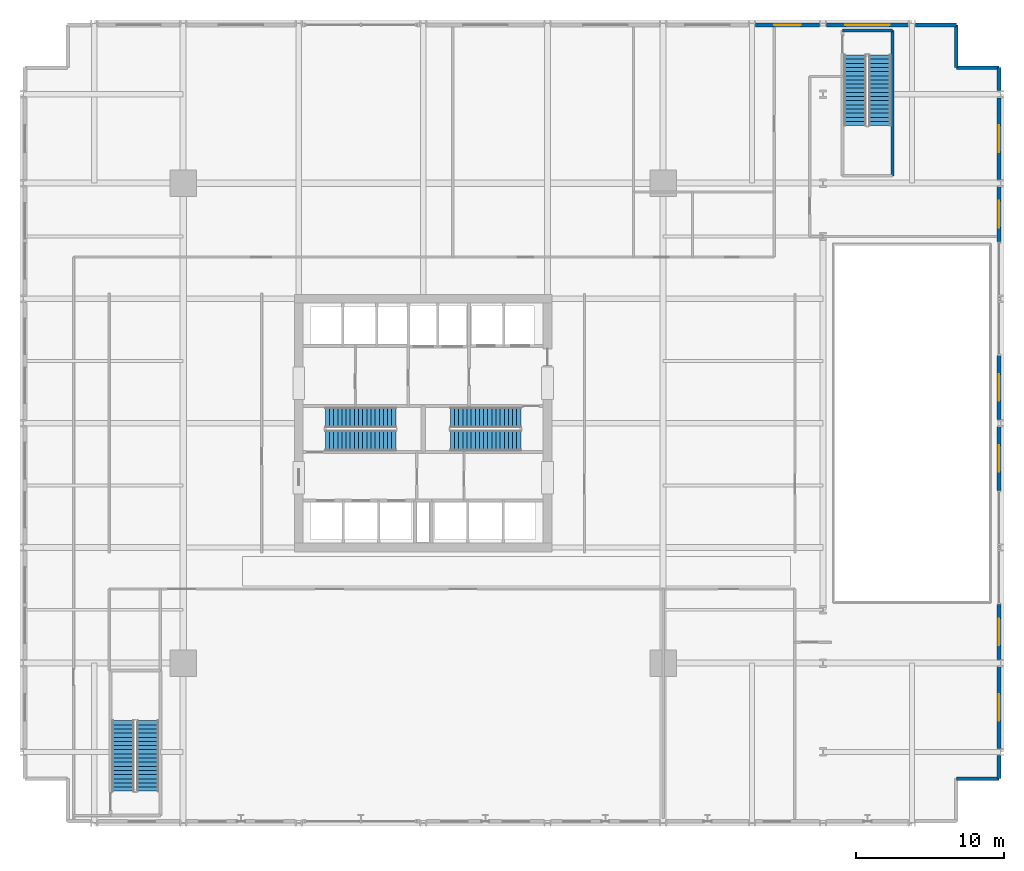
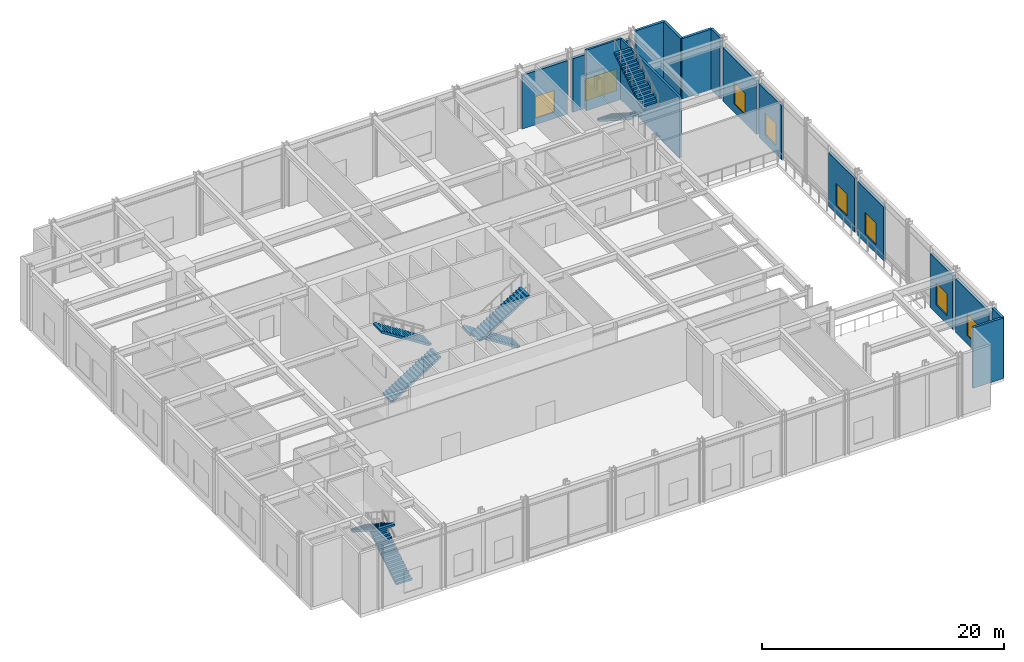
# One storey, part 14 of 20: 16 walls, 8 stair flights, 8 windows, 8 openings, 4 elements without a shape of their own.
"""IFC4 building model written with IfcOpenShell, lengths in metres."""

from ifc_helpers import new_model, si_unit, direction, frame, frame_2d, origin, place, context, subcontext, project, spatial, polyline, rectangle, outline, extrude, material, layer, layer_set, type_object, element, fill, aggregate, save


model = new_model("IFC4")

# Units and contexts
model_context = context("Model", 3, precision=1e-05, world=origin(), true_north=direction((0.0, 1.0)))
body_context = subcontext(model_context, "Body", "Model", "MODEL_VIEW")
ifc_project = project(units=[si_unit("LENGTHUNIT", "METRE"), si_unit("AREAUNIT", "SQUARE_METRE"), si_unit("VOLUMEUNIT", "CUBIC_METRE"), si_unit("PLANEANGLEUNIT", "RADIAN"), si_unit("MASSUNIT", "GRAM", prefix="KILO")], contexts=[model_context])

# Site, building, storey
site_placement = place(None, origin())
site = spatial("IfcSite", under=ifc_project, at=site_placement, CompositionType="ELEMENT")
building_placement = place(site_placement, origin())
building = spatial("IfcBuilding", under=site, at=building_placement, Name="Drelvath Grand Hotel", CompositionType="ELEMENT")
storey_placement = place(building_placement, frame((0.0, 0.0, 10.800048828125)))
storey = spatial("IfcBuildingStorey", under=building, at=storey_placement, Name="L02", CompositionType="ELEMENT", Elevation=10.800048828125)

# Walls
ifc_material_1 = material(Name="Concrete C40/50", Category="concrete")
ifc_layer_1 = layer(ifc_material_1, 0.199951171875)
ifc_layer_set_1 = layer_set([ifc_layer_1], Name="Concrete C40/50")
wall_type_1 = type_object("IfcWallType", Name="Core Shaft Fire Wall 200", PredefinedType="SOLIDWALL", material=ifc_layer_set_1)
wall_1_placement = place(storey_placement, frame((31.679931640625, 53.5, 0.0), z_axis=(0.0, 0.0, 1.0), x_axis=(0.0, -1.0, 0.0)))
element("IfcWall", 1, at=wall_1_placement, inside=storey, type_object=wall_type_1, Name="L02 Stair ST-4 East Wall", PredefinedType="SOLIDWALL", context=body_context, shape_type="SweptSolid", body=[
    extrude(rectangle(XDim=9.800048828125, YDim=0.199951171875, at=frame_2d((4.89990234375, 0.0))), origin(), (0.0, 0.0, 1.0), 6.099853515625),
])
wall_2_placement = place(storey_placement, frame((31.679931640625, 53.5, 0.0), z_axis=(0.0, 0.0, 1.0), x_axis=(-1.0, 0.0, 0.0)))
element("IfcWall", 2, at=wall_2_placement, inside=storey, type_object=wall_type_1, Name="L02 Stair ST-4 North Wall", PredefinedType="SOLIDWALL", context=body_context, shape_type="SweptSolid", body=[
    extrude(rectangle(XDim=3.35986328125, YDim=0.199951171875, at=frame_2d((1.679931640625, 0.0))), origin(), (0.0, 0.0, 1.0), 6.099853515625),
])
ifc_material_2 = material(Name="Insulated Granite Rainscreen Assembly", Category="masonry")
ifc_layer_2 = layer(ifc_material_2, 0.239990234375)
ifc_layer_set_2 = layer_set([ifc_layer_2], Name="Insulated Granite Rainscreen Assembly")
wall_type_2 = type_object("IfcWallType", Name="Podium Granite Rainscreen Exterior Wall 240", PredefinedType="STANDARD", material=ifc_layer_set_2)
wall_3_placement = place(storey_placement, frame((38.8798828125, 4.55908203125, 0.0), z_axis=(0.0, 0.0, 1.0), x_axis=(0.0, -1.0, 0.0)))
element("IfcWall", 3, at=wall_3_placement, inside=storey, type_object=wall_type_2, Name="L02 East Podium Granite Wall 1", PredefinedType="STANDARD", context=body_context, shape_type="SweptSolid", body=[
    extrude(rectangle(XDim=1.55908203125, YDim=0.239990234375, at=frame_2d((0.779541015625, 0.0))), origin(), (0.0, 0.0, 1.0), 6.099853515625),
])

# Wall, opening, window
wall_4_placement = place(storey_placement, frame((38.8798828125, 10.55908203125, 0.0), z_axis=(0.0, 0.0, 1.0), x_axis=(0.0, -1.0, 0.0)))
wall_4 = element("IfcWall", 4, at=wall_4_placement, inside=storey, type_object=wall_type_2, Name="L02 East Podium Granite Wall 2", PredefinedType="STANDARD", context=body_context, shape_type="SweptSolid", body=[
    extrude(rectangle(XDim=5.51806640625, YDim=0.239990234375, at=frame_2d((2.759033203125, 0.0))), origin(), (0.0, 0.0, 1.0), 5.404296875),
])
opening_1_placement = place(wall_4_placement, frame((1.859130859375, 0.0, 0.85009765625)))
opening_1 = element("IfcOpeningElement", 5, at=opening_1_placement, cuts=wall_4, Name="Opening W-02", PredefinedType="OPENING", context=body_context, shape_type="SweptSolid", body=[
    extrude(rectangle(XDim=1.800048828125, YDim=2.199951171875, at=frame_2d((0.89990234375, 1.10009765625))), frame((0.0, 0.1298828125, 0.0), z_axis=(0.0, -1.0, 0.0), x_axis=(1.0, 0.0, 0.0)), (0.0, 0.0, 1.0), 0.260009765625),
])
ifc_material_3 = material(Name="Bronze Anodised Low-E Triple Glazing", Category="glass")
window_type_1 = type_object("IfcWindowType", Name="Chicago Double-Pane Podium Window 1800x2400", PartitioningType="DOUBLE_PANEL_VERTICAL", PredefinedType="WINDOW", material=ifc_material_3)
window_1_placement = place(opening_1_placement, origin())
window_1 = element("IfcWindow", 6, at=window_1_placement, inside=storey, type_object=window_type_1, Name="L02 East Podium Window 2", OverallHeight=2.199951171875, OverallWidth=1.800048828125, PartitioningType="SINGLE_PANEL", PredefinedType="WINDOW", context=body_context, shape_type="SweptSolid", body=[
    extrude(rectangle(XDim=1.800048828125, YDim=2.199951171875, at=frame_2d((0.89990234375, 1.10009765625))), frame((0.0, 0.030029296875, 0.0), z_axis=(0.0, -1.0, 0.0), x_axis=(1.0, 0.0, 0.0)), (0.0, 0.0, 1.0), 0.06005859375),
])
fill(opening_1, window_1)

wall_5_placement = place(storey_placement, frame((38.8798828125, 14.75, 0.0), z_axis=(0.0, 0.0, 1.0), x_axis=(0.0, -1.0, 0.0)))
wall_5 = element("IfcWall", 7, at=wall_5_placement, inside=storey, type_object=wall_type_2, Name="L02 East Podium Granite Wall 3", PredefinedType="STANDARD", context=body_context, shape_type="SweptSolid", body=[
    extrude(rectangle(XDim=3.708984375, YDim=0.239990234375, at=frame_2d((1.8544921875, 0.0))), origin(), (0.0, 0.0, 1.0), 5.404296875),
])
opening_2_placement = place(wall_5_placement, frame((0.95458984375, 0.0, 0.85009765625)))
opening_2 = element("IfcOpeningElement", 8, at=opening_2_placement, cuts=wall_5, Name="Opening W-02", PredefinedType="OPENING", context=body_context, shape_type="SweptSolid", body=[
    extrude(rectangle(XDim=1.800048828125, YDim=2.199951171875, at=frame_2d((0.89990234375, 1.10009765625))), frame((0.0, 0.1298828125, 0.0), z_axis=(0.0, -1.0, 0.0), x_axis=(1.0, 0.0, 0.0)), (0.0, 0.0, 1.0), 0.260009765625),
])
window_2_placement = place(opening_2_placement, origin())
window_2 = element("IfcWindow", 9, at=window_2_placement, inside=storey, type_object=window_type_1, Name="L02 East Podium Window 3", OverallHeight=2.199951171875, OverallWidth=1.800048828125, PartitioningType="SINGLE_PANEL", PredefinedType="WINDOW", context=body_context, shape_type="SweptSolid", body=[
    extrude(rectangle(XDim=1.800048828125, YDim=2.199951171875, at=frame_2d((0.89990234375, 1.10009765625))), frame((0.0, 0.030029296875, 0.0), z_axis=(0.0, -1.0, 0.0), x_axis=(1.0, 0.0, 0.0)), (0.0, 0.0, 1.0), 0.06005859375),
])
fill(opening_2, window_2)

wall_6_placement = place(storey_placement, frame((38.8798828125, 26.759033203125, 0.0), z_axis=(0.0, 0.0, 1.0), x_axis=(0.0, -1.0, 0.0)))
wall_6 = element("IfcWall", 10, at=wall_6_placement, inside=storey, type_object=wall_type_2, Name="L02 East Podium Granite Wall 4", PredefinedType="STANDARD", context=body_context, shape_type="SweptSolid", body=[
    extrude(rectangle(XDim=4.30908203125, YDim=0.239990234375, at=frame_2d((2.154541015625, 0.0))), origin(), (0.0, 0.0, 1.0), 5.404296875),
])
opening_3_placement = place(wall_6_placement, frame((1.254638671875, 0.0, 0.85009765625)))
opening_3 = element("IfcOpeningElement", 11, at=opening_3_placement, cuts=wall_6, Name="Opening W-02", PredefinedType="OPENING", context=body_context, shape_type="SweptSolid", body=[
    extrude(rectangle(XDim=1.800048828125, YDim=2.199951171875, at=frame_2d((0.89990234375, 1.10009765625))), frame((0.0, 0.1298828125, 0.0), z_axis=(0.0, -1.0, 0.0), x_axis=(1.0, 0.0, 0.0)), (0.0, 0.0, 1.0), 0.260009765625),
])
window_3_placement = place(opening_3_placement, origin())
window_3 = element("IfcWindow", 12, at=window_3_placement, inside=storey, type_object=window_type_1, Name="L02 East Podium Window 4", OverallHeight=2.199951171875, OverallWidth=1.800048828125, PartitioningType="SINGLE_PANEL", PredefinedType="WINDOW", context=body_context, shape_type="SweptSolid", body=[
    extrude(rectangle(XDim=1.800048828125, YDim=2.199951171875, at=frame_2d((0.89990234375, 1.10009765625))), frame((0.0, 0.030029296875, 0.0), z_axis=(0.0, -1.0, 0.0), x_axis=(1.0, 0.0, 0.0)), (0.0, 0.0, 1.0), 0.06005859375),
])
fill(opening_3, window_3)

wall_7_placement = place(storey_placement, frame((38.8798828125, 31.550048828125, 0.0), z_axis=(0.0, 0.0, 1.0), x_axis=(0.0, -1.0, 0.0)))
wall_7 = element("IfcWall", 13, at=wall_7_placement, inside=storey, type_object=wall_type_2, Name="L02 East Podium Granite Wall 5", PredefinedType="STANDARD", context=body_context, shape_type="SweptSolid", body=[
    extrude(rectangle(XDim=4.30908203125, YDim=0.239990234375, at=frame_2d((2.154541015625, 0.0))), origin(), (0.0, 0.0, 1.0), 5.404296875),
])
opening_4_placement = place(wall_7_placement, frame((1.254638671875, 0.0, 0.85009765625)))
opening_4 = element("IfcOpeningElement", 14, at=opening_4_placement, cuts=wall_7, Name="Opening W-02", PredefinedType="OPENING", context=body_context, shape_type="SweptSolid", body=[
    extrude(rectangle(XDim=1.800048828125, YDim=2.199951171875, at=frame_2d((0.89990234375, 1.10009765625))), frame((0.0, 0.1298828125, 0.0), z_axis=(0.0, -1.0, 0.0), x_axis=(1.0, 0.0, 0.0)), (0.0, 0.0, 1.0), 0.260009765625),
])
window_4_placement = place(opening_4_placement, origin())
window_4 = element("IfcWindow", 15, at=window_4_placement, inside=storey, type_object=window_type_1, Name="L02 East Podium Window 5", OverallHeight=2.199951171875, OverallWidth=1.800048828125, PartitioningType="SINGLE_PANEL", PredefinedType="WINDOW", context=body_context, shape_type="SweptSolid", body=[
    extrude(rectangle(XDim=1.800048828125, YDim=2.199951171875, at=frame_2d((0.89990234375, 1.10009765625))), frame((0.0, 0.030029296875, 0.0), z_axis=(0.0, -1.0, 0.0), x_axis=(1.0, 0.0, 0.0)), (0.0, 0.0, 1.0), 0.06005859375),
])
fill(opening_4, window_4)

wall_8_placement = place(storey_placement, frame((38.8798828125, 42.958984375, 0.0), z_axis=(0.0, 0.0, 1.0), x_axis=(0.0, -1.0, 0.0)))
wall_8 = element("IfcWall", 16, at=wall_8_placement, inside=storey, type_object=wall_type_2, Name="L02 East Podium Granite Wall 6", PredefinedType="STANDARD", context=body_context, shape_type="SweptSolid", body=[
    extrude(rectangle(XDim=3.708984375, YDim=0.239990234375, at=frame_2d((1.8544921875, 0.0))), origin(), (0.0, 0.0, 1.0), 5.404296875),
])
opening_5_placement = place(wall_8_placement, frame((0.95458984375, 0.0, 0.85009765625)))
opening_5 = element("IfcOpeningElement", 17, at=opening_5_placement, cuts=wall_8, Name="Opening W-02", PredefinedType="OPENING", context=body_context, shape_type="SweptSolid", body=[
    extrude(rectangle(XDim=1.800048828125, YDim=2.199951171875, at=frame_2d((0.89990234375, 1.10009765625))), frame((0.0, 0.1298828125, 0.0), z_axis=(0.0, -1.0, 0.0), x_axis=(1.0, 0.0, 0.0)), (0.0, 0.0, 1.0), 0.260009765625),
])
window_5_placement = place(opening_5_placement, origin())
window_5 = element("IfcWindow", 18, at=window_5_placement, inside=storey, type_object=window_type_1, Name="L02 East Podium Window 6", OverallHeight=2.199951171875, OverallWidth=1.800048828125, PartitioningType="SINGLE_PANEL", PredefinedType="WINDOW", context=body_context, shape_type="SweptSolid", body=[
    extrude(rectangle(XDim=1.800048828125, YDim=2.199951171875, at=frame_2d((0.89990234375, 1.10009765625))), frame((0.0, 0.030029296875, 0.0), z_axis=(0.0, -1.0, 0.0), x_axis=(1.0, 0.0, 0.0)), (0.0, 0.0, 1.0), 0.06005859375),
])
fill(opening_5, window_5)

wall_9_placement = place(storey_placement, frame((38.8798828125, 48.958984375, 0.0), z_axis=(0.0, 0.0, 1.0), x_axis=(0.0, -1.0, 0.0)))
wall_9 = element("IfcWall", 19, at=wall_9_placement, inside=storey, type_object=wall_type_2, Name="L02 East Podium Granite Wall 7", PredefinedType="STANDARD", context=body_context, shape_type="SweptSolid", body=[
    extrude(rectangle(XDim=5.51806640625, YDim=0.239990234375, at=frame_2d((2.759033203125, 0.0))), origin(), (0.0, 0.0, 1.0), 5.404296875),
])
opening_6_placement = place(wall_9_placement, frame((1.859130859375, 0.0, 0.85009765625)))
opening_6 = element("IfcOpeningElement", 20, at=opening_6_placement, cuts=wall_9, Name="Opening W-02", PredefinedType="OPENING", context=body_context, shape_type="SweptSolid", body=[
    extrude(rectangle(XDim=1.800048828125, YDim=2.199951171875, at=frame_2d((0.89990234375, 1.10009765625))), frame((0.0, 0.1298828125, 0.0), z_axis=(0.0, -1.0, 0.0), x_axis=(1.0, 0.0, 0.0)), (0.0, 0.0, 1.0), 0.260009765625),
])
window_6_placement = place(opening_6_placement, origin())
window_6 = element("IfcWindow", 21, at=window_6_placement, inside=storey, type_object=window_type_1, Name="L02 East Podium Window 7", OverallHeight=2.199951171875, OverallWidth=1.800048828125, PartitioningType="SINGLE_PANEL", PredefinedType="WINDOW", context=body_context, shape_type="SweptSolid", body=[
    extrude(rectangle(XDim=1.800048828125, YDim=2.199951171875, at=frame_2d((0.89990234375, 1.10009765625))), frame((0.0, 0.030029296875, 0.0), z_axis=(0.0, -1.0, 0.0), x_axis=(1.0, 0.0, 0.0)), (0.0, 0.0, 1.0), 0.06005859375),
])
fill(opening_6, window_6)

# Wall
wall_10_placement = place(storey_placement, frame((38.8798828125, 51.0, 0.0), z_axis=(0.0, 0.0, 1.0), x_axis=(0.0, -1.0, 0.0)))
element("IfcWall", 22, at=wall_10_placement, inside=storey, type_object=wall_type_2, Name="L02 East Podium Granite Wall 8", PredefinedType="STANDARD", context=body_context, shape_type="SweptSolid", body=[
    extrude(rectangle(XDim=1.55908203125, YDim=0.239990234375, at=frame_2d((0.779541015625, 0.0))), origin(), (0.0, 0.0, 1.0), 6.099853515625),
])

# Wall, opening, window
wall_11_placement = place(storey_placement, frame((22.44091796875, 53.8798828125, 0.0), z_axis=(0.0, 0.0, 1.0), x_axis=(1.0, 0.0, 0.0)))
wall_11 = element("IfcWall", 23, at=wall_11_placement, inside=storey, type_object=wall_type_2, Name="L02 North Podium Granite Wall 9", PredefinedType="STANDARD", context=body_context, shape_type="SweptSolid", body=[
    extrude(rectangle(XDim=4.318115234375, YDim=0.239990234375, at=frame_2d((2.1591796875, 0.0))), origin(), (0.0, 0.0, 1.0), 5.404296875),
])
opening_7_placement = place(wall_11_placement, frame((1.259033203125, 0.0, 0.64990234375)))
opening_7 = element("IfcOpeningElement", 24, at=opening_7_placement, cuts=wall_11, Name="Opening W-02", PredefinedType="OPENING", context=body_context, shape_type="SweptSolid", body=[
    extrude(rectangle(XDim=1.800048828125, YDim=2.199951171875, at=frame_2d((0.89990234375, 1.10009765625))), frame((0.0, 0.1298828125, 0.0), z_axis=(0.0, -1.0, 0.0), x_axis=(1.0, 0.0, 0.0)), (0.0, 0.0, 1.0), 0.260009765625),
])
window_7_placement = place(opening_7_placement, origin())
window_7 = element("IfcWindow", 25, at=window_7_placement, inside=storey, type_object=window_type_1, Name="L02 North Chicago Window 9", OverallHeight=2.199951171875, OverallWidth=1.800048828125, PartitioningType="SINGLE_PANEL", PredefinedType="WINDOW", context=body_context, shape_type="SweptSolid", body=[
    extrude(rectangle(XDim=1.800048828125, YDim=2.199951171875, at=frame_2d((0.89990234375, 1.10009765625))), frame((0.0, 0.030029296875, 0.0), z_axis=(0.0, -1.0, 0.0), x_axis=(1.0, 0.0, 0.0)), (0.0, 0.0, 1.0), 0.06005859375),
])
fill(opening_7, window_7)

wall_12_placement = place(storey_placement, frame((27.240966796875, 53.8798828125, 0.0), z_axis=(0.0, 0.0, 1.0), x_axis=(1.0, 0.0, 0.0)))
wall_12 = element("IfcWall", 26, at=wall_12_placement, inside=storey, type_object=wall_type_2, Name="L02 North Podium Granite Wall 10", PredefinedType="STANDARD", context=body_context, shape_type="SweptSolid", body=[
    extrude(rectangle(XDim=5.51806640625, YDim=0.239990234375, at=frame_2d((2.759033203125, 0.0))), origin(), (0.0, 0.0, 1.0), 5.404296875),
])
opening_8_placement = place(wall_12_placement, frame((1.259033203125, 0.0, 0.64990234375)))
opening_8 = element("IfcOpeningElement", 27, at=opening_8_placement, cuts=wall_12, Name="Opening W-03", PredefinedType="OPENING", context=body_context, shape_type="SweptSolid", body=[
    extrude(rectangle(XDim=3.0, YDim=2.199951171875, at=frame_2d((1.5, 1.10009765625))), frame((0.0, 0.1298828125, 0.0), z_axis=(0.0, -1.0, 0.0), x_axis=(1.0, 0.0, 0.0)), (0.0, 0.0, 1.0), 0.260009765625),
])
window_type_2 = type_object("IfcWindowType", Name="Podium Clerestory Ribbon Window 3000x2200", PartitioningType="TRIPLE_PANEL_VERTICAL", PredefinedType="WINDOW", material=ifc_material_3)
window_8_placement = place(opening_8_placement, origin())
window_8 = element("IfcWindow", 28, at=window_8_placement, inside=storey, type_object=window_type_2, Name="L02 North Chicago Window 10", OverallHeight=2.199951171875, OverallWidth=3.0, PartitioningType="SINGLE_PANEL", PredefinedType="WINDOW", context=body_context, shape_type="SweptSolid", body=[
    extrude(rectangle(XDim=3.0, YDim=2.199951171875, at=frame_2d((1.5, 1.10009765625))), frame((0.0, 0.030029296875, 0.0), z_axis=(0.0, -1.0, 0.0), x_axis=(1.0, 0.0, 0.0)), (0.0, 0.0, 1.0), 0.06005859375),
])
fill(opening_8, window_8)

# Walls
wall_13_placement = place(storey_placement, frame((33.240966796875, 53.8798828125, 0.0), z_axis=(0.0, 0.0, 1.0), x_axis=(1.0, 0.0, 0.0)))
element("IfcWall", 29, at=wall_13_placement, inside=storey, type_object=wall_type_2, Name="L02 North Podium Granite Wall 11", PredefinedType="STANDARD", context=body_context, shape_type="SweptSolid", body=[
    extrude(rectangle(XDim=2.759033203125, YDim=0.239990234375, at=frame_2d((1.37939453125, 0.0))), origin(), (0.0, 0.0, 1.0), 6.099853515625),
])
for number, where, z_axis, x_axis, name in (
    (30, (36.0, 53.8798828125, 0.0), (0.0, 0.0, 1.0), (0.0, -1.0, 0.0), "L02 Podium Corner Return Wall CNE1"),
    (31, (36.0, 51.0, 0.0), (0.0, 0.0, 1.0), (1.0, 0.0, 0.0), "L02 Podium Corner Return Wall CNE2"),
    (32, (38.8798828125, 3.0, 0.0), (0.0, 0.0, 1.0), (-1.0, 0.0, 0.0), "L02 Podium Corner Return Wall CSE1"),
):
    element("IfcWall", number, at=place(storey_placement, frame(where, z_axis=z_axis, x_axis=x_axis)), inside=storey, type_object=wall_type_2, Name=name, PredefinedType="STANDARD", context=body_context, shape_type="SweptSolid", body=[
        extrude(rectangle(XDim=2.8798828125, YDim=0.239990234375, at=frame_2d((1.43994140625, 0.0))), origin(), (0.0, 0.0, 1.0), 6.099853515625),
    ])

# Stair, stair flights
stair_type_1 = type_object("IfcStairType", Name="Dogleg Exit Stair W1400-R177.8", PredefinedType="HALF_TURN_STAIR", material=ifc_material_1)
stair_1_placement = place(storey_placement, origin())
stair_1 = element("IfcStair", 33, at=stair_1_placement, inside=storey, type_object=stair_type_1, Name="L02 Core Exit Stair ST-1", PredefinedType="HALF_TURN_STAIR")
stair_flight_type_1 = type_object("IfcStairFlightType", Name="Concrete Stair Flight W1400-R177.8", PredefinedType="STRAIGHT", material=ifc_material_1)
stair_flight_1_placement = place(storey_placement, frame((-6.60009765625, 25.820068359375, 0.0), z_axis=(0.0, 0.0, 1.0), x_axis=(1.0, 0.0, 0.0)))
stair_flight_1 = element("IfcStairFlight", 34, at=stair_flight_1_placement, type_object=stair_flight_type_1, Name="ST-1 flight 1", NumberOfRisers=18, NumberOfTreads=17, PredefinedType="STRAIGHT", RiserHeight=0.177777778, TreadLength=0.28, context=body_context, shape_type="SweptSolid", body=[
    extrude(outline(polyline([(0.0, 0.0), (0.0, 0.177734375), (0.280029296875, 0.177734375), (0.280029296875, 0.35546875), (0.56005859375, 0.35546875), (0.56005859375, 0.533447265625), (0.840087890625, 0.533447265625), (0.840087890625, 0.711181640625), (1.1201171875, 0.711181640625), (1.1201171875, 0.888916015625), (1.39990234375, 0.888916015625), (1.39990234375, 1.066650390625), (1.679931640625, 1.066650390625), (1.679931640625, 1.244384765625), (1.9599609375, 1.244384765625), (1.9599609375, 1.422119140625), (2.239990234375, 1.422119140625), (2.239990234375, 1.60009765625), (2.52001953125, 1.60009765625), (2.52001953125, 1.77783203125), (2.800048828125, 1.77783203125), (2.800048828125, 1.95556640625), (3.080078125, 1.95556640625), (3.080078125, 2.13330078125), (3.360107421875, 2.13330078125), (3.360107421875, 2.31103515625), (3.639892578125, 2.31103515625), (3.639892578125, 2.48876953125), (3.919921875, 2.48876953125), (3.919921875, 2.666748046875), (4.199951171875, 2.666748046875), (4.199951171875, 2.844482421875), (4.47998046875, 2.844482421875), (4.47998046875, 3.022216796875), (4.760009765625, 3.022216796875), (4.760009765625, 3.199951171875), (4.760009765625, 2.832763671875), (0.29833984375, 0.0), (0.0, 0.0)])), frame((0.0, 0.699951171875, 0.0), z_axis=(0.0, -1.0, 0.0), x_axis=(1.0, 0.0, 0.0)), (0.0, 0.0, 1.0), 1.39990234375),
])
stair_flight_2_placement = place(storey_placement, frame((-1.840087890625, 27.3798828125, 3.199951171875), z_axis=(0.0, 0.0, 1.0), x_axis=(-1.0, 0.0, 0.0)))
stair_flight_2 = element("IfcStairFlight", 35, at=stair_flight_2_placement, type_object=stair_flight_type_1, Name="ST-1 flight 2", NumberOfRisers=18, NumberOfTreads=17, PredefinedType="STRAIGHT", RiserHeight=0.177777778, TreadLength=0.28, context=body_context, shape_type="SweptSolid", body=[
    extrude(outline(polyline([(0.0, 0.0), (0.0, 0.177734375), (0.280029296875, 0.177734375), (0.280029296875, 0.35546875), (0.56005859375, 0.35546875), (0.56005859375, 0.533447265625), (0.840087890625, 0.533447265625), (0.840087890625, 0.711181640625), (1.1201171875, 0.711181640625), (1.1201171875, 0.888916015625), (1.39990234375, 0.888916015625), (1.39990234375, 1.066650390625), (1.679931640625, 1.066650390625), (1.679931640625, 1.244384765625), (1.9599609375, 1.244384765625), (1.9599609375, 1.422119140625), (2.239990234375, 1.422119140625), (2.239990234375, 1.60009765625), (2.52001953125, 1.60009765625), (2.52001953125, 1.77783203125), (2.800048828125, 1.77783203125), (2.800048828125, 1.95556640625), (3.080078125, 1.95556640625), (3.080078125, 2.13330078125), (3.360107421875, 2.13330078125), (3.360107421875, 2.31103515625), (3.639892578125, 2.31103515625), (3.639892578125, 2.48876953125), (3.919921875, 2.48876953125), (3.919921875, 2.666748046875), (4.199951171875, 2.666748046875), (4.199951171875, 2.844482421875), (4.47998046875, 2.844482421875), (4.47998046875, 3.022216796875), (4.760009765625, 3.022216796875), (4.760009765625, 3.199951171875), (4.760009765625, 2.832763671875), (0.29833984375, 0.0), (0.0, 0.0)])), frame((0.0, 0.699951171875, 0.0), z_axis=(0.0, -1.0, 0.0), x_axis=(1.0, 0.0, 0.0)), (0.0, 0.0, 1.0), 1.39990234375),
])
aggregate(stair_1, [stair_flight_1, stair_flight_2])

stair_2_placement = place(storey_placement, origin())
stair_2 = element("IfcStair", 36, at=stair_2_placement, inside=storey, type_object=stair_type_1, Name="L02 Core Exit Stair ST-2", PredefinedType="HALF_TURN_STAIR")
stair_flight_3_placement = place(storey_placement, frame((6.60009765625, 27.3798828125, 0.0), z_axis=(0.0, 0.0, 1.0), x_axis=(-1.0, 0.0, 0.0)))
stair_flight_3 = element("IfcStairFlight", 37, at=stair_flight_3_placement, type_object=stair_flight_type_1, Name="ST-2 flight 1", NumberOfRisers=18, NumberOfTreads=17, PredefinedType="STRAIGHT", RiserHeight=0.177777778, TreadLength=0.28, context=body_context, shape_type="SweptSolid", body=[
    extrude(outline(polyline([(0.0, 0.0), (0.0, 0.177734375), (0.280029296875, 0.177734375), (0.280029296875, 0.35546875), (0.56005859375, 0.35546875), (0.56005859375, 0.533447265625), (0.840087890625, 0.533447265625), (0.840087890625, 0.711181640625), (1.1201171875, 0.711181640625), (1.1201171875, 0.888916015625), (1.39990234375, 0.888916015625), (1.39990234375, 1.066650390625), (1.679931640625, 1.066650390625), (1.679931640625, 1.244384765625), (1.9599609375, 1.244384765625), (1.9599609375, 1.422119140625), (2.239990234375, 1.422119140625), (2.239990234375, 1.60009765625), (2.52001953125, 1.60009765625), (2.52001953125, 1.77783203125), (2.800048828125, 1.77783203125), (2.800048828125, 1.95556640625), (3.080078125, 1.95556640625), (3.080078125, 2.13330078125), (3.360107421875, 2.13330078125), (3.360107421875, 2.31103515625), (3.639892578125, 2.31103515625), (3.639892578125, 2.48876953125), (3.919921875, 2.48876953125), (3.919921875, 2.666748046875), (4.199951171875, 2.666748046875), (4.199951171875, 2.844482421875), (4.47998046875, 2.844482421875), (4.47998046875, 3.022216796875), (4.760009765625, 3.022216796875), (4.760009765625, 3.199951171875), (4.760009765625, 2.832763671875), (0.29833984375, 0.0), (0.0, 0.0)])), frame((0.0, 0.699951171875, 0.0), z_axis=(0.0, -1.0, 0.0), x_axis=(1.0, 0.0, 0.0)), (0.0, 0.0, 1.0), 1.39990234375),
])
stair_flight_4_placement = place(storey_placement, frame((1.840087890625, 25.820068359375, 3.199951171875), z_axis=(0.0, 0.0, 1.0), x_axis=(1.0, 0.0, 0.0)))
stair_flight_4 = element("IfcStairFlight", 38, at=stair_flight_4_placement, type_object=stair_flight_type_1, Name="ST-2 flight 2", NumberOfRisers=18, NumberOfTreads=17, PredefinedType="STRAIGHT", RiserHeight=0.177777778, TreadLength=0.28, context=body_context, shape_type="SweptSolid", body=[
    extrude(outline(polyline([(0.0, 0.0), (0.0, 0.177734375), (0.280029296875, 0.177734375), (0.280029296875, 0.35546875), (0.56005859375, 0.35546875), (0.56005859375, 0.533447265625), (0.840087890625, 0.533447265625), (0.840087890625, 0.711181640625), (1.1201171875, 0.711181640625), (1.1201171875, 0.888916015625), (1.39990234375, 0.888916015625), (1.39990234375, 1.066650390625), (1.679931640625, 1.066650390625), (1.679931640625, 1.244384765625), (1.9599609375, 1.244384765625), (1.9599609375, 1.422119140625), (2.239990234375, 1.422119140625), (2.239990234375, 1.60009765625), (2.52001953125, 1.60009765625), (2.52001953125, 1.77783203125), (2.800048828125, 1.77783203125), (2.800048828125, 1.95556640625), (3.080078125, 1.95556640625), (3.080078125, 2.13330078125), (3.360107421875, 2.13330078125), (3.360107421875, 2.31103515625), (3.639892578125, 2.31103515625), (3.639892578125, 2.48876953125), (3.919921875, 2.48876953125), (3.919921875, 2.666748046875), (4.199951171875, 2.666748046875), (4.199951171875, 2.844482421875), (4.47998046875, 2.844482421875), (4.47998046875, 3.022216796875), (4.760009765625, 3.022216796875), (4.760009765625, 3.199951171875), (4.760009765625, 2.832763671875), (0.29833984375, 0.0), (0.0, 0.0)])), frame((0.0, 0.699951171875, 0.0), z_axis=(0.0, -1.0, 0.0), x_axis=(1.0, 0.0, 0.0)), (0.0, 0.0, 1.0), 1.39990234375),
])
aggregate(stair_2, [stair_flight_3, stair_flight_4])

stair_type_2 = type_object("IfcStairType", Name="Dogleg Exit Stair W1500-R177.8", PredefinedType="HALF_TURN_STAIR", material=ifc_material_1)
stair_3_placement = place(storey_placement, origin())
stair_3 = element("IfcStair", 39, at=stair_3_placement, inside=storey, type_object=stair_type_2, Name="L02 Podium Exit Stair ST-3", PredefinedType="HALF_TURN_STAIR")
stair_flight_type_2 = type_object("IfcStairFlightType", Name="Concrete Stair Flight W1500-R177.8", PredefinedType="STRAIGHT", material=ifc_material_1)
stair_flight_5_placement = place(storey_placement, frame((-18.590087890625, 2.14990234375, 0.0), z_axis=(0.0, 0.0, 1.0), x_axis=(0.0, 1.0, 0.0)))
stair_flight_5 = element("IfcStairFlight", 40, at=stair_flight_5_placement, type_object=stair_flight_type_2, Name="ST-3 flight 1", NumberOfRisers=18, NumberOfTreads=17, PredefinedType="STRAIGHT", RiserHeight=0.177777778, TreadLength=0.28, context=body_context, shape_type="SweptSolid", body=[
    extrude(outline(polyline([(0.0, 0.0), (0.0, 0.177734375), (0.280029296875, 0.177734375), (0.280029296875, 0.35546875), (0.56005859375, 0.35546875), (0.56005859375, 0.533447265625), (0.840087890625, 0.533447265625), (0.840087890625, 0.711181640625), (1.1201171875, 0.711181640625), (1.1201171875, 0.888916015625), (1.39990234375, 0.888916015625), (1.39990234375, 1.066650390625), (1.679931640625, 1.066650390625), (1.679931640625, 1.244384765625), (1.9599609375, 1.244384765625), (1.9599609375, 1.422119140625), (2.239990234375, 1.422119140625), (2.239990234375, 1.60009765625), (2.52001953125, 1.60009765625), (2.52001953125, 1.77783203125), (2.800048828125, 1.77783203125), (2.800048828125, 1.95556640625), (3.080078125, 1.95556640625), (3.080078125, 2.13330078125), (3.360107421875, 2.13330078125), (3.360107421875, 2.31103515625), (3.639892578125, 2.31103515625), (3.639892578125, 2.48876953125), (3.919921875, 2.48876953125), (3.919921875, 2.666748046875), (4.199951171875, 2.666748046875), (4.199951171875, 2.844482421875), (4.47998046875, 2.844482421875), (4.47998046875, 3.022216796875), (4.760009765625, 3.022216796875), (4.760009765625, 3.199951171875), (4.760009765625, 2.832763671875), (0.29833984375, 0.0), (0.0, 0.0)])), frame((0.0, 0.75, 0.0), z_axis=(0.0, -1.0, 0.0), x_axis=(1.0, 0.0, 0.0)), (0.0, 0.0, 1.0), 1.5),
])
stair_flight_6_placement = place(storey_placement, frame((-20.25, 6.909912109375, 3.199951171875), z_axis=(0.0, 0.0, 1.0), x_axis=(0.0, -1.0, 0.0)))
stair_flight_6 = element("IfcStairFlight", 41, at=stair_flight_6_placement, type_object=stair_flight_type_2, Name="ST-3 flight 2", NumberOfRisers=18, NumberOfTreads=17, PredefinedType="STRAIGHT", RiserHeight=0.177777778, TreadLength=0.28, context=body_context, shape_type="SweptSolid", body=[
    extrude(outline(polyline([(0.0, 0.0), (0.0, 0.177734375), (0.280029296875, 0.177734375), (0.280029296875, 0.35546875), (0.56005859375, 0.35546875), (0.56005859375, 0.533447265625), (0.840087890625, 0.533447265625), (0.840087890625, 0.711181640625), (1.1201171875, 0.711181640625), (1.1201171875, 0.888916015625), (1.39990234375, 0.888916015625), (1.39990234375, 1.066650390625), (1.679931640625, 1.066650390625), (1.679931640625, 1.244384765625), (1.9599609375, 1.244384765625), (1.9599609375, 1.422119140625), (2.239990234375, 1.422119140625), (2.239990234375, 1.60009765625), (2.52001953125, 1.60009765625), (2.52001953125, 1.77783203125), (2.800048828125, 1.77783203125), (2.800048828125, 1.95556640625), (3.080078125, 1.95556640625), (3.080078125, 2.13330078125), (3.360107421875, 2.13330078125), (3.360107421875, 2.31103515625), (3.639892578125, 2.31103515625), (3.639892578125, 2.48876953125), (3.919921875, 2.48876953125), (3.919921875, 2.666748046875), (4.199951171875, 2.666748046875), (4.199951171875, 2.844482421875), (4.47998046875, 2.844482421875), (4.47998046875, 3.022216796875), (4.760009765625, 3.022216796875), (4.760009765625, 3.199951171875), (4.760009765625, 2.832763671875), (0.29833984375, 0.0), (0.0, 0.0)])), frame((0.0, 0.75, 0.0), z_axis=(0.0, -1.0, 0.0), x_axis=(1.0, 0.0, 0.0)), (0.0, 0.0, 1.0), 1.5),
])
aggregate(stair_3, [stair_flight_5, stair_flight_6])

stair_4_placement = place(storey_placement, origin())
stair_4 = element("IfcStair", 42, at=stair_4_placement, inside=storey, type_object=stair_type_2, Name="L02 Podium Exit Stair ST-4", PredefinedType="HALF_TURN_STAIR")
stair_flight_7_placement = place(storey_placement, frame((29.169921875, 51.85009765625, 0.0), z_axis=(0.0, 0.0, 1.0), x_axis=(0.0, -1.0, 0.0)))
stair_flight_7 = element("IfcStairFlight", 43, at=stair_flight_7_placement, type_object=stair_flight_type_2, Name="ST-4 flight 1", NumberOfRisers=18, NumberOfTreads=17, PredefinedType="STRAIGHT", RiserHeight=0.177777778, TreadLength=0.28, context=body_context, shape_type="SweptSolid", body=[
    extrude(outline(polyline([(0.0, 0.0), (0.0, 0.177734375), (0.280029296875, 0.177734375), (0.280029296875, 0.35546875), (0.56005859375, 0.35546875), (0.56005859375, 0.533447265625), (0.840087890625, 0.533447265625), (0.840087890625, 0.711181640625), (1.1201171875, 0.711181640625), (1.1201171875, 0.888916015625), (1.39990234375, 0.888916015625), (1.39990234375, 1.066650390625), (1.679931640625, 1.066650390625), (1.679931640625, 1.244384765625), (1.9599609375, 1.244384765625), (1.9599609375, 1.422119140625), (2.239990234375, 1.422119140625), (2.239990234375, 1.60009765625), (2.52001953125, 1.60009765625), (2.52001953125, 1.77783203125), (2.800048828125, 1.77783203125), (2.800048828125, 1.95556640625), (3.080078125, 1.95556640625), (3.080078125, 2.13330078125), (3.360107421875, 2.13330078125), (3.360107421875, 2.31103515625), (3.639892578125, 2.31103515625), (3.639892578125, 2.48876953125), (3.919921875, 2.48876953125), (3.919921875, 2.666748046875), (4.199951171875, 2.666748046875), (4.199951171875, 2.844482421875), (4.47998046875, 2.844482421875), (4.47998046875, 3.022216796875), (4.760009765625, 3.022216796875), (4.760009765625, 3.199951171875), (4.760009765625, 2.832763671875), (0.29833984375, 0.0), (0.0, 0.0)])), frame((0.0, 0.75, 0.0), z_axis=(0.0, -1.0, 0.0), x_axis=(1.0, 0.0, 0.0)), (0.0, 0.0, 1.0), 1.5),
])
stair_flight_8_placement = place(storey_placement, frame((30.830078125, 47.090087890625, 3.199951171875), z_axis=(0.0, 0.0, 1.0), x_axis=(0.0, 1.0, 0.0)))
stair_flight_8 = element("IfcStairFlight", 44, at=stair_flight_8_placement, type_object=stair_flight_type_2, Name="ST-4 flight 2", NumberOfRisers=18, NumberOfTreads=17, PredefinedType="STRAIGHT", RiserHeight=0.177777778, TreadLength=0.28, context=body_context, shape_type="SweptSolid", body=[
    extrude(outline(polyline([(0.0, 0.0), (0.0, 0.177734375), (0.280029296875, 0.177734375), (0.280029296875, 0.35546875), (0.56005859375, 0.35546875), (0.56005859375, 0.533447265625), (0.840087890625, 0.533447265625), (0.840087890625, 0.711181640625), (1.1201171875, 0.711181640625), (1.1201171875, 0.888916015625), (1.39990234375, 0.888916015625), (1.39990234375, 1.066650390625), (1.679931640625, 1.066650390625), (1.679931640625, 1.244384765625), (1.9599609375, 1.244384765625), (1.9599609375, 1.422119140625), (2.239990234375, 1.422119140625), (2.239990234375, 1.60009765625), (2.52001953125, 1.60009765625), (2.52001953125, 1.77783203125), (2.800048828125, 1.77783203125), (2.800048828125, 1.95556640625), (3.080078125, 1.95556640625), (3.080078125, 2.13330078125), (3.360107421875, 2.13330078125), (3.360107421875, 2.31103515625), (3.639892578125, 2.31103515625), (3.639892578125, 2.48876953125), (3.919921875, 2.48876953125), (3.919921875, 2.666748046875), (4.199951171875, 2.666748046875), (4.199951171875, 2.844482421875), (4.47998046875, 2.844482421875), (4.47998046875, 3.022216796875), (4.760009765625, 3.022216796875), (4.760009765625, 3.199951171875), (4.760009765625, 2.832763671875), (0.29833984375, 0.0), (0.0, 0.0)])), frame((0.0, 0.75, 0.0), z_axis=(0.0, -1.0, 0.0), x_axis=(1.0, 0.0, 0.0)), (0.0, 0.0, 1.0), 1.5),
])
aggregate(stair_4, [stair_flight_7, stair_flight_8])

save(model, "model.ifc")
